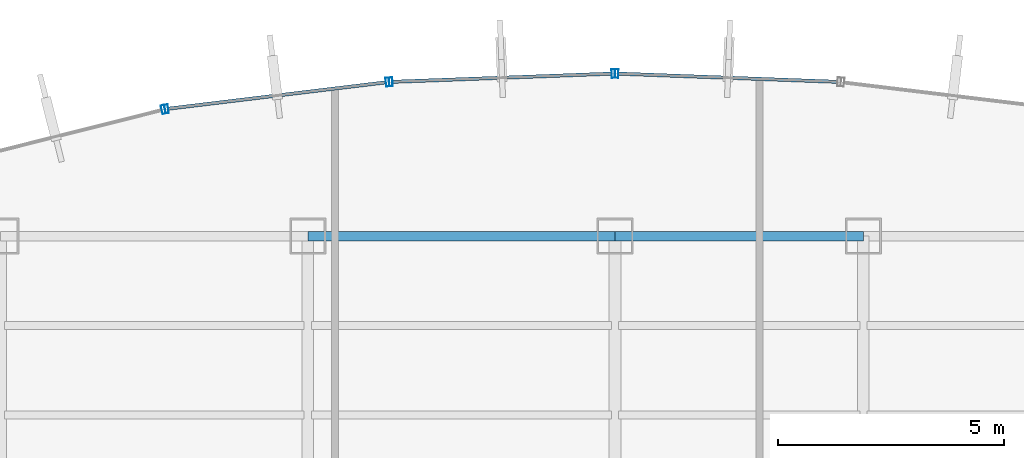
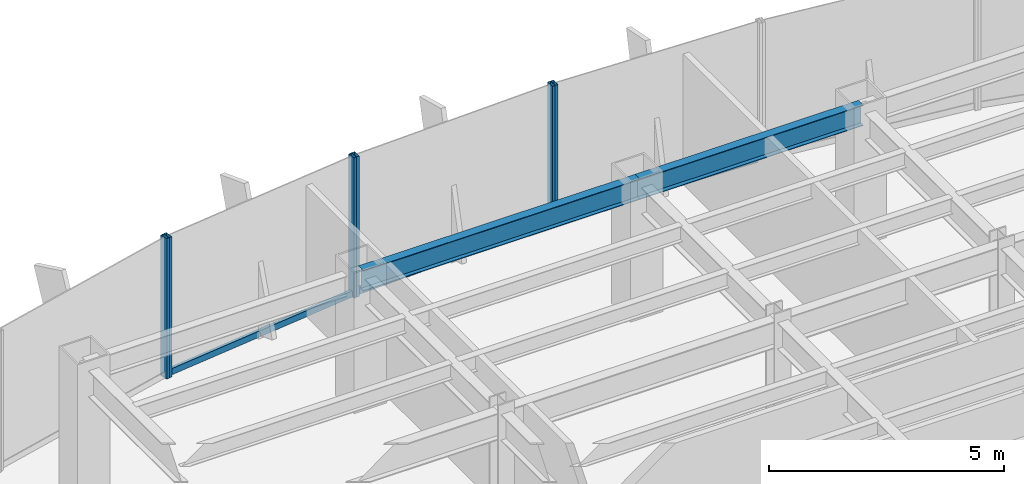
# One storey, part 16 of 26: 9 members, 2 beams, 4 elements without a shape of their own.
"""IFC4 building model written with IfcOpenShell, lengths in metres."""

from ifc_helpers import new_model, si_unit, derived_unit, direction, frame, origin, origin_2d, place, context, subcontext, project, spatial, hollow_rectangle, i_section, extrude, source, transform, mapped, material, material_profile, profile_set, type_object, element, aggregate, save


model = new_model("IFC4")

# Units and contexts
model_context = context("Model", 3, precision=1e-05, world=origin(), true_north=direction((0.0, 1.0)))
body_context = subcontext(model_context, "Body", "Model", "MODEL_VIEW")
ifc_project = project(units=[si_unit("LENGTHUNIT", "METRE"), si_unit("AREAUNIT", "SQUARE_METRE"), si_unit("VOLUMEUNIT", "CUBIC_METRE"), si_unit("PLANEANGLEUNIT", "RADIAN"), si_unit("MASSUNIT", "GRAM", prefix="KILO"), derived_unit("THERMALTRANSMITTANCEUNIT", [(si_unit("POWERUNIT", "WATT"), 1), (si_unit("LENGTHUNIT", "METRE"), -2), (si_unit("THERMODYNAMICTEMPERATUREUNIT", "KELVIN"), -1)])], contexts=[model_context])

# Site, building, storey
site_placement = place(None, origin())
site = spatial("IfcSite", under=ifc_project, at=site_placement, CompositionType="ELEMENT")
building_placement = place(site_placement, origin())
building = spatial("IfcBuilding", under=site, at=building_placement, Name="Skarnbrae Concourse Arena and Tower", CompositionType="ELEMENT")
storey_placement = place(building_placement, frame((0.0, 0.0, 92.300048828125)))
storey = spatial("IfcBuildingStorey", under=building, at=storey_placement, Name="L22", CompositionType="ELEMENT", Elevation=92.300048828125)

# Beams
ifc_material_1 = material(Name="Steel CSA G40.21 350W", Category="steel")
ifc_material_profile_1 = material_profile(ifc_material_1, i_section(OverallWidth=0.208984375, OverallDepth=0.532958984375, WebThickness=0.01025390625, FlangeThickness=0.015625, at=origin_2d()), Name="W530X92")
ifc_profile_set_1 = profile_set([ifc_material_profile_1], Name="Steel CSA G40.21 350W")
beam_type = type_object("IfcBeamType", Name="BM-SPAN-W530X92", PredefinedType="SPANDREL", material=ifc_profile_set_1)
shared_shape_1 = source(origin(), body_context, "Body", "SweptSolid", [
    extrude(i_section(OverallWidth=0.208984375, OverallDepth=0.532958984375, WebThickness=0.01025390625, FlangeThickness=0.015625, at=origin_2d()), origin(), (0.0, 0.0, 1.0), 6.800048828125),
])
beam_1_placement = place(storey_placement, frame((21.199951171875, 40.39990234375, 3.133544921875), z_axis=(1.0, 0.0, 0.0), x_axis=(0.0, 1.0, 0.0)))
element("IfcBeam", 1, at=beam_1_placement, inside=storey, type_object=beam_type, Name="L22 Perimeter spandrel Y40.4-2", PredefinedType="SPANDREL", context=body_context, shape_type="MappedRepresentation", body=[
    mapped(shared_shape_1, transform((0.0, 0.0, 0.0))),
])
shared_shape_2 = source(origin(), body_context, "Body", "SweptSolid", [
    extrude(i_section(OverallWidth=0.208984375, OverallDepth=0.532958984375, WebThickness=0.01025390625, FlangeThickness=0.015625, at=origin_2d()), origin(), (0.0, 0.0, 1.0), 5.5),
])
beam_2_placement = place(storey_placement, frame((28.0, 40.39990234375, 3.133544921875), z_axis=(1.0, 0.0, 0.0), x_axis=(0.0, 1.0, 0.0)))
element("IfcBeam", 2, at=beam_2_placement, inside=storey, type_object=beam_type, Name="L22 Perimeter spandrel Y40.4-3", PredefinedType="SPANDREL", context=body_context, shape_type="MappedRepresentation", body=[
    mapped(shared_shape_2, transform((0.0, 0.0, 0.0))),
])

# Curtain wall, member
ifc_material_2 = material(Name="Bronze anodised aluminium 6063-T6", Category="aluminium")
curtain_wall_type = type_object("IfcCurtainWallType", Name="CW-SYS-04-MIDZONE", PredefinedType="USERDEFINED", material=ifc_material_2)
curtain_wall_1_placement = place(storey_placement, origin())
curtain_wall_1 = element("IfcCurtainWall", 3, at=curtain_wall_1_placement, inside=storey, type_object=curtain_wall_type, Name="L22 Unitised curtain wall CW-L22-E13", ObjectType="UNITISED CURTAIN WALL", PredefinedType="USERDEFINED")
ifc_material_profile_2 = material_profile(ifc_material_2, hollow_rectangle(XDim=0.074951171875, YDim=0.159912109375, WallThickness=0.00439453125, at=origin_2d()), Name="ALU-TRAN-75X160")
ifc_profile_set_2 = profile_set([ifc_material_profile_2], Name="Bronze anodised aluminium 6063-T6")
member_type_1 = type_object("IfcMemberType", Name="CWT-CW-04", PredefinedType="USERDEFINED", material=ifc_profile_set_2)
shared_shape_3 = source(origin(), body_context, "Body", "SweptSolid", [
    extrude(hollow_rectangle(XDim=0.074951171875, YDim=0.159912109375, WallThickness=0.00439453125, at=origin_2d()), origin(), (0.0, 0.0, 1.0), 4.851318359375),
])
member_1_placement = place(storey_placement, frame((22.926513671875, 43.804931640625, 0.079833984375), z_axis=(-0.992746710317, -0.120224661172, 0.0), x_axis=(0.120224661172, -0.992746710317, 0.0)))
member_1 = element("IfcMember", 4, at=member_1_placement, type_object=member_type_1, Name="CW-L22-E13 Transom 1", ObjectType="TRANSOM", PredefinedType="USERDEFINED", context=body_context, shape_type="MappedRepresentation", body=[
    mapped(shared_shape_3, transform((0.0, 0.0, 0.0))),
])

curtain_wall_2_placement = place(storey_placement, origin())
curtain_wall_2 = element("IfcCurtainWall", 5, at=curtain_wall_2_placement, inside=storey, type_object=curtain_wall_type, Name="L22 Unitised curtain wall CW-L22-E11", ObjectType="UNITISED CURTAIN WALL", PredefinedType="USERDEFINED")
shared_shape_4 = source(origin(), body_context, "Body", "SweptSolid", [
    extrude(hollow_rectangle(XDim=0.074951171875, YDim=0.159912109375, WallThickness=0.00439453125, at=origin_2d()), origin(), (0.0, 0.0, 1.0), 4.8525390625),
])
member_2_placement = place(storey_placement, frame((32.924072265625, 43.81689453125, 0.079833984375), z_axis=(-0.999308547576, 0.037180999731, 0.0), x_axis=(-0.037180999731, -0.999308547576, 0.0)))
member_2 = element("IfcMember", 6, at=member_2_placement, type_object=member_type_1, Name="CW-L22-E11 Transom 1", ObjectType="TRANSOM", PredefinedType="USERDEFINED", context=body_context, shape_type="MappedRepresentation", body=[
    mapped(shared_shape_4, transform((0.0, 0.0, 0.0))),
])

curtain_wall_3_placement = place(storey_placement, origin())
curtain_wall_3 = element("IfcCurtainWall", 7, at=curtain_wall_3_placement, inside=storey, type_object=curtain_wall_type, Name="L22 Unitised curtain wall CW-L22-E12", ObjectType="UNITISED CURTAIN WALL", PredefinedType="USERDEFINED")
member_3_placement = place(storey_placement, frame((27.925048828125, 43.997314453125, 0.079833984375), z_axis=(-0.999308547576, -0.037180999731, 0.0), x_axis=(0.037180999731, -0.999308547576, 0.0)))
member_3 = element("IfcMember", 8, at=member_3_placement, type_object=member_type_1, Name="CW-L22-E12 Transom 1", ObjectType="TRANSOM", PredefinedType="USERDEFINED", context=body_context, shape_type="MappedRepresentation", body=[
    mapped(shared_shape_4, transform((0.0, 0.0, 0.0))),
])

# Member
ifc_material_profile_3 = material_profile(ifc_material_2, hollow_rectangle(XDim=0.074951171875, YDim=0.195068359375, WallThickness=0.00439453125, at=origin_2d()), Name="ALU-MULL-75X195")
ifc_profile_set_3 = profile_set([ifc_material_profile_3], Name="Bronze anodised aluminium 6063-T6")
member_type_2 = type_object("IfcMemberType", Name="CWM-CW-04", PredefinedType="MULLION", material=ifc_profile_set_3)
shared_shape_5 = source(origin(), body_context, "Body", "SweptSolid", [
    extrude(hollow_rectangle(XDim=0.074951171875, YDim=0.195068359375, WallThickness=0.00439453125, at=origin_2d()), origin(), (0.0, 0.0, 1.0), 3.64990234375),
])
member_4_placement = place(storey_placement, frame((28.03759765625, 43.99853515625, 0.0), z_axis=(0.0, 0.0, 1.0), x_axis=(-0.999308486252, 0.037182647889, 0.0)))
member_4 = element("IfcMember", 9, at=member_4_placement, type_object=member_type_2, Name="CW-L22-E11 Mullion 2", PredefinedType="MULLION", context=body_context, shape_type="MappedRepresentation", body=[
    mapped(shared_shape_5, transform((0.0, 0.0, 0.0))),
])

aggregate(curtain_wall_2, [member_4, member_2])

member_5_placement = place(storey_placement, frame((27.96240234375, 43.99853515625, 0.0), z_axis=(0.0, 0.0, 1.0), x_axis=(-0.999308486252, -0.037182647889, 0.0)))
member_5 = element("IfcMember", 10, at=member_5_placement, type_object=member_type_2, Name="CW-L22-E12 Mullion 1", PredefinedType="MULLION", context=body_context, shape_type="MappedRepresentation", body=[
    mapped(shared_shape_5, transform((0.0, 0.0, 0.0))),
])

member_6_placement = place(storey_placement, frame((23.03857421875, 43.8154296875, 0.0), z_axis=(0.0, 0.0, 1.0), x_axis=(-0.999308486252, -0.037182647889, 0.0)))
member_6 = element("IfcMember", 11, at=member_6_placement, type_object=member_type_2, Name="CW-L22-E12 Mullion 2", PredefinedType="MULLION", context=body_context, shape_type="MappedRepresentation", body=[
    mapped(shared_shape_5, transform((0.0, 0.0, 0.0))),
])

aggregate(curtain_wall_3, [member_5, member_6, member_3])

member_7_placement = place(storey_placement, frame((22.9638671875, 43.8095703125, 0.0), z_axis=(0.0, 0.0, 1.0), x_axis=(-0.992749371969, -0.120202680731, 0.0)))
member_7 = element("IfcMember", 12, at=member_7_placement, type_object=member_type_2, Name="CW-L22-E13 Mullion 1", PredefinedType="MULLION", context=body_context, shape_type="MappedRepresentation", body=[
    mapped(shared_shape_5, transform((0.0, 0.0, 0.0))),
])

member_8_placement = place(storey_placement, frame((18.072998046875, 43.21728515625, 0.0), z_axis=(0.0, 0.0, 1.0), x_axis=(-0.992749371969, -0.120202680731, 0.0)))
member_8 = element("IfcMember", 13, at=member_8_placement, type_object=member_type_2, Name="CW-L22-E13 Mullion 2", PredefinedType="MULLION", context=body_context, shape_type="MappedRepresentation", body=[
    mapped(shared_shape_5, transform((0.0, 0.0, 0.0))),
])

aggregate(curtain_wall_1, [member_7, member_8, member_1])

# Curtain wall, member
curtain_wall_4_placement = place(storey_placement, origin())
curtain_wall_4 = element("IfcCurtainWall", 14, at=curtain_wall_4_placement, inside=storey, type_object=curtain_wall_type, Name="L22 Unitised curtain wall CW-L22-E14", ObjectType="UNITISED CURTAIN WALL", PredefinedType="USERDEFINED")
member_9_placement = place(storey_placement, frame((17.99951171875, 43.20361328125, 0.0), z_axis=(0.0, 0.0, 1.0), x_axis=(-0.969903046166, -0.243491439351, 0.0)))
member_9 = element("IfcMember", 15, at=member_9_placement, type_object=member_type_2, Name="CW-L22-E14 Mullion 1", PredefinedType="MULLION", context=body_context, shape_type="MappedRepresentation", body=[
    mapped(shared_shape_5, transform((0.0, 0.0, 0.0))),
])
aggregate(curtain_wall_4, [member_9])

save(model, "model.ifc")
